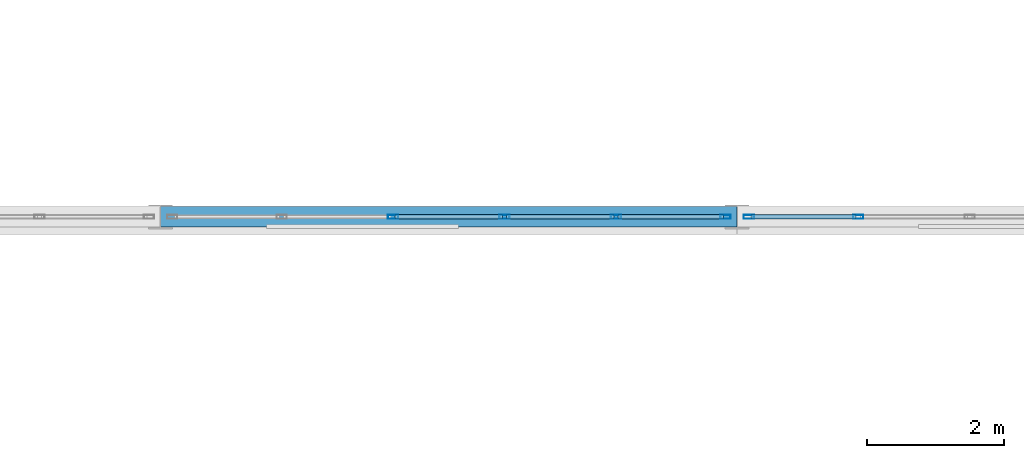
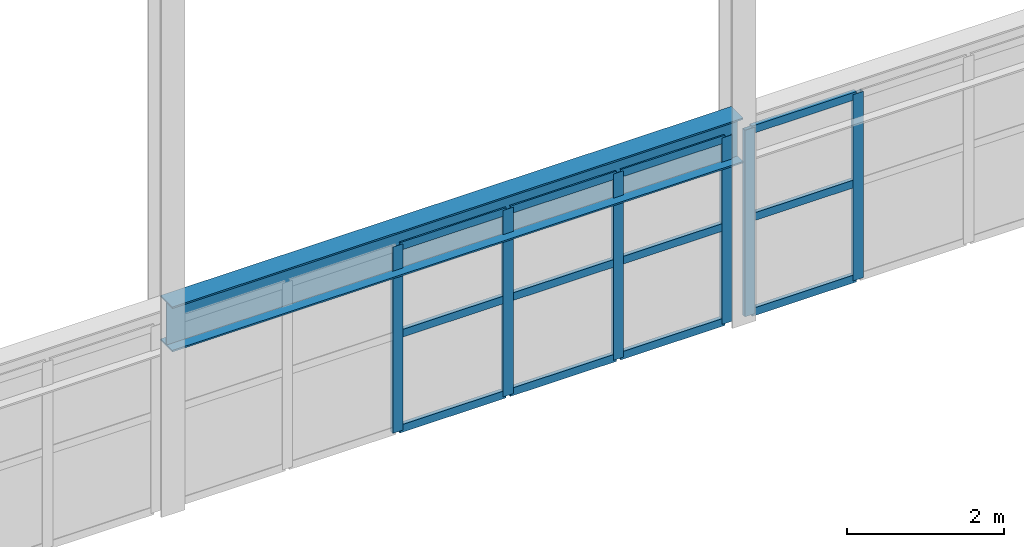
# One storey, part 61 of 218: 18 members, 1 beam, 2 elements without a shape of their own.
"""IFC4 building model written with IfcOpenShell, lengths in metres."""

from ifc_helpers import new_model, si_unit, direction, frame, origin, origin_2d, place, context, subcontext, project, spatial, hollow_rectangle, i_section, extrude, material, material_profile, profile_set, type_object, element, aggregate, save


model = new_model("IFC4")

# Units and contexts
model_context = context("Model", 3, precision=1e-05, world=origin(), true_north=direction((0.0, 1.0)))
body_context = subcontext(model_context, "Body", "Model", "MODEL_VIEW")
ifc_project = project(units=[si_unit("LENGTHUNIT", "METRE"), si_unit("AREAUNIT", "SQUARE_METRE"), si_unit("VOLUMEUNIT", "CUBIC_METRE"), si_unit("PLANEANGLEUNIT", "RADIAN"), si_unit("MASSUNIT", "GRAM", prefix="KILO")], contexts=[model_context])

# Site, building, storey
site_placement = place(None, origin())
site = spatial("IfcSite", under=ifc_project, at=site_placement, CompositionType="ELEMENT")
building_placement = place(site_placement, origin())
building = spatial("IfcBuilding", under=site, at=building_placement, Name="Kazenagashi Tramway Depot", CompositionType="ELEMENT")
storey_placement = place(building_placement, frame((0.0, 0.0, 6.0)))
storey = spatial("IfcBuildingStorey", under=building, at=storey_placement, Name="L02", CompositionType="ELEMENT", Elevation=6.0)

# Beam
ifc_material_1 = material(Name="Steel SN490B", Category="steel")
ifc_material_profile_1 = material_profile(ifc_material_1, i_section(OverallWidth=0.3, OverallDepth=0.7, WebThickness=0.013, FlangeThickness=0.024, at=origin_2d()), Name="H-700x300x13x24")
ifc_profile_set_1 = profile_set([ifc_material_profile_1], Name="Steel SN490B")
beam_type = type_object("IfcBeamType", Name="G-02", PredefinedType="BEAM", material=ifc_profile_set_1)
beam_placement = place(storey_placement, frame((53.2, 54.9, 2.85), z_axis=(1.0, 0.0, 0.0), x_axis=(0.0, 1.0, 0.0)))
element("IfcBeam", 1, at=beam_placement, inside=storey, type_object=beam_type, Name="Beam G-02 BM-1174", PredefinedType="BEAM", context=body_context, shape_type="SweptSolid", body=[
    extrude(i_section(OverallWidth=0.3, OverallDepth=0.7, WebThickness=0.013, FlangeThickness=0.024, at=origin_2d()), origin(), (0.0, 0.0, 1.0), 8.4),
])

# Curtain wall, members
ifc_material_2 = material(Name="Anodised Aluminium and Low-E Glazing", Category="aluminium")
curtain_wall_type = type_object("IfcCurtainWallType", Name="CW-21", PredefinedType="USERDEFINED", material=ifc_material_2)
curtain_wall_1_placement = place(storey_placement, origin())
curtain_wall_1 = element("IfcCurtainWall", 2, at=curtain_wall_1_placement, inside=storey, type_object=curtain_wall_type, Name="Industrial Glazed Screen CW-21 CW-0108", ObjectType="GLAZED SCREEN", PredefinedType="USERDEFINED")
ifc_material_3 = material(Name="Anodised Aluminium", Category="aluminium")
ifc_material_profile_2 = material_profile(ifc_material_3, hollow_rectangle(XDim=0.06, YDim=0.15, WallThickness=0.004, at=origin_2d()), Name="RHS-150x60x4")
ifc_profile_set_2 = profile_set([ifc_material_profile_2], Name="Anodised Aluminium")
member_type_1 = type_object("IfcMemberType", Name="ML-01", PredefinedType="MULLION", material=ifc_profile_set_2)
member_1_placement = place(storey_placement, frame((56.588, 54.9, 0.0), z_axis=(0.0, 0.0, 1.0), x_axis=(0.0, 1.0, 0.0)))
member_1 = element("IfcMember", 3, at=member_1_placement, type_object=member_type_1, Name="CW-21 mullion 3", PredefinedType="MULLION", context=body_context, shape_type="SweptSolid", body=[
    extrude(hollow_rectangle(XDim=0.06, YDim=0.15, WallThickness=0.004, at=origin_2d()), origin(), (0.0, 0.0, 1.0), 2.9),
])
member_2_placement = place(storey_placement, frame((58.212, 54.9, 0.0), z_axis=(0.0, 0.0, 1.0), x_axis=(0.0, 1.0, 0.0)))
member_2 = element("IfcMember", 4, at=member_2_placement, type_object=member_type_1, Name="CW-21 mullion 4", PredefinedType="MULLION", context=body_context, shape_type="SweptSolid", body=[
    extrude(hollow_rectangle(XDim=0.06, YDim=0.15, WallThickness=0.004, at=origin_2d()), origin(), (0.0, 0.0, 1.0), 2.9),
])
member_3_placement = place(storey_placement, frame((59.836, 54.9, 0.0), z_axis=(0.0, 0.0, 1.0), x_axis=(0.0, 1.0, 0.0)))
member_3 = element("IfcMember", 5, at=member_3_placement, type_object=member_type_1, Name="CW-21 mullion 5", PredefinedType="MULLION", context=body_context, shape_type="SweptSolid", body=[
    extrude(hollow_rectangle(XDim=0.06, YDim=0.15, WallThickness=0.004, at=origin_2d()), origin(), (0.0, 0.0, 1.0), 2.9),
])
member_4_placement = place(storey_placement, frame((61.43, 54.9, 0.0), z_axis=(0.0, 0.0, 1.0), x_axis=(0.0, 1.0, 0.0)))
member_4 = element("IfcMember", 6, at=member_4_placement, type_object=member_type_1, Name="CW-21 mullion 6", PredefinedType="MULLION", context=body_context, shape_type="SweptSolid", body=[
    extrude(hollow_rectangle(XDim=0.06, YDim=0.15, WallThickness=0.004, at=origin_2d()), origin(), (0.0, 0.0, 1.0), 2.9),
])

curtain_wall_2_placement = place(storey_placement, origin())
curtain_wall_2 = element("IfcCurtainWall", 7, at=curtain_wall_2_placement, inside=storey, type_object=curtain_wall_type, Name="Industrial Glazed Screen CW-21 CW-0109", ObjectType="GLAZED SCREEN", PredefinedType="USERDEFINED")
member_5_placement = place(storey_placement, frame((61.77, 54.9, 0.0), z_axis=(0.0, 0.0, 1.0), x_axis=(0.0, 1.0, 0.0)))
member_5 = element("IfcMember", 8, at=member_5_placement, type_object=member_type_1, Name="CW-21 mullion 1", PredefinedType="MULLION", context=body_context, shape_type="SweptSolid", body=[
    extrude(hollow_rectangle(XDim=0.06, YDim=0.15, WallThickness=0.004, at=origin_2d()), origin(), (0.0, 0.0, 1.0), 2.9),
])
member_6_placement = place(storey_placement, frame((63.364, 54.9, 0.0), z_axis=(0.0, 0.0, 1.0), x_axis=(0.0, 1.0, 0.0)))
member_6 = element("IfcMember", 9, at=member_6_placement, type_object=member_type_1, Name="CW-21 mullion 2", PredefinedType="MULLION", context=body_context, shape_type="SweptSolid", body=[
    extrude(hollow_rectangle(XDim=0.06, YDim=0.15, WallThickness=0.004, at=origin_2d()), origin(), (0.0, 0.0, 1.0), 2.9),
])

# Member
ifc_material_profile_3 = material_profile(ifc_material_3, hollow_rectangle(XDim=0.06, YDim=0.12, WallThickness=0.004, at=origin_2d()), Name="RHS-120x60x4")
ifc_profile_set_3 = profile_set([ifc_material_profile_3], Name="Anodised Aluminium")
member_type_2 = type_object("IfcMemberType", Name="TR-01", PredefinedType="USERDEFINED", material=ifc_profile_set_3)
member_7_placement = place(storey_placement, frame((56.618, 54.9, 0.03), z_axis=(1.0, 0.0, 0.0), x_axis=(0.0, 1.0, 0.0)))
member_7 = element("IfcMember", 10, at=member_7_placement, type_object=member_type_2, Name="CW-21 transom 3.1", ObjectType="TRANSOM", PredefinedType="USERDEFINED", context=body_context, shape_type="SweptSolid", body=[
    extrude(hollow_rectangle(XDim=0.06, YDim=0.12, WallThickness=0.004, at=origin_2d()), origin(), (0.0, 0.0, 1.0), 1.564),
])

member_8_placement = place(storey_placement, frame((56.618, 54.9, 1.508), z_axis=(1.0, 0.0, 0.0), x_axis=(0.0, 1.0, 0.0)))
member_8 = element("IfcMember", 11, at=member_8_placement, type_object=member_type_2, Name="CW-21 transom 3.2", ObjectType="TRANSOM", PredefinedType="USERDEFINED", context=body_context, shape_type="SweptSolid", body=[
    extrude(hollow_rectangle(XDim=0.06, YDim=0.12, WallThickness=0.004, at=origin_2d()), origin(), (0.0, 0.0, 1.0), 1.564),
])

member_9_placement = place(storey_placement, frame((56.618, 54.9, 2.87), z_axis=(1.0, 0.0, 0.0), x_axis=(0.0, 1.0, 0.0)))
member_9 = element("IfcMember", 12, at=member_9_placement, type_object=member_type_2, Name="CW-21 transom 3.3", ObjectType="TRANSOM", PredefinedType="USERDEFINED", context=body_context, shape_type="SweptSolid", body=[
    extrude(hollow_rectangle(XDim=0.06, YDim=0.12, WallThickness=0.004, at=origin_2d()), origin(), (0.0, 0.0, 1.0), 1.564),
])

member_10_placement = place(storey_placement, frame((58.242, 54.9, 0.03), z_axis=(1.0, 0.0, 0.0), x_axis=(0.0, 1.0, 0.0)))
member_10 = element("IfcMember", 13, at=member_10_placement, type_object=member_type_2, Name="CW-21 transom 4.1", ObjectType="TRANSOM", PredefinedType="USERDEFINED", context=body_context, shape_type="SweptSolid", body=[
    extrude(hollow_rectangle(XDim=0.06, YDim=0.12, WallThickness=0.004, at=origin_2d()), origin(), (0.0, 0.0, 1.0), 1.564),
])

member_11_placement = place(storey_placement, frame((58.242, 54.9, 1.508), z_axis=(1.0, 0.0, 0.0), x_axis=(0.0, 1.0, 0.0)))
member_11 = element("IfcMember", 14, at=member_11_placement, type_object=member_type_2, Name="CW-21 transom 4.2", ObjectType="TRANSOM", PredefinedType="USERDEFINED", context=body_context, shape_type="SweptSolid", body=[
    extrude(hollow_rectangle(XDim=0.06, YDim=0.12, WallThickness=0.004, at=origin_2d()), origin(), (0.0, 0.0, 1.0), 1.564),
])

member_12_placement = place(storey_placement, frame((58.242, 54.9, 2.87), z_axis=(1.0, 0.0, 0.0), x_axis=(0.0, 1.0, 0.0)))
member_12 = element("IfcMember", 15, at=member_12_placement, type_object=member_type_2, Name="CW-21 transom 4.3", ObjectType="TRANSOM", PredefinedType="USERDEFINED", context=body_context, shape_type="SweptSolid", body=[
    extrude(hollow_rectangle(XDim=0.06, YDim=0.12, WallThickness=0.004, at=origin_2d()), origin(), (0.0, 0.0, 1.0), 1.564),
])

member_13_placement = place(storey_placement, frame((59.866, 54.9, 0.03), z_axis=(1.0, 0.0, 0.0), x_axis=(0.0, 1.0, 0.0)))
member_13 = element("IfcMember", 16, at=member_13_placement, type_object=member_type_2, Name="CW-21 transom 5.1", ObjectType="TRANSOM", PredefinedType="USERDEFINED", context=body_context, shape_type="SweptSolid", body=[
    extrude(hollow_rectangle(XDim=0.06, YDim=0.12, WallThickness=0.004, at=origin_2d()), origin(), (0.0, 0.0, 1.0), 1.534),
])

member_14_placement = place(storey_placement, frame((59.866, 54.9, 1.508), z_axis=(1.0, 0.0, 0.0), x_axis=(0.0, 1.0, 0.0)))
member_14 = element("IfcMember", 17, at=member_14_placement, type_object=member_type_2, Name="CW-21 transom 5.2", ObjectType="TRANSOM", PredefinedType="USERDEFINED", context=body_context, shape_type="SweptSolid", body=[
    extrude(hollow_rectangle(XDim=0.06, YDim=0.12, WallThickness=0.004, at=origin_2d()), origin(), (0.0, 0.0, 1.0), 1.534),
])

member_15_placement = place(storey_placement, frame((59.866, 54.9, 2.87), z_axis=(1.0, 0.0, 0.0), x_axis=(0.0, 1.0, 0.0)))
member_15 = element("IfcMember", 18, at=member_15_placement, type_object=member_type_2, Name="CW-21 transom 5.3", ObjectType="TRANSOM", PredefinedType="USERDEFINED", context=body_context, shape_type="SweptSolid", body=[
    extrude(hollow_rectangle(XDim=0.06, YDim=0.12, WallThickness=0.004, at=origin_2d()), origin(), (0.0, 0.0, 1.0), 1.534),
])

aggregate(curtain_wall_1, [member_1, member_2, member_3, member_4, member_7, member_8, member_9, member_10, member_11, member_12, member_13, member_14, member_15])

member_16_placement = place(storey_placement, frame((61.8, 54.9, 0.03), z_axis=(1.0, 0.0, 0.0), x_axis=(0.0, 1.0, 0.0)))
member_16 = element("IfcMember", 19, at=member_16_placement, type_object=member_type_2, Name="CW-21 transom 1.1", ObjectType="TRANSOM", PredefinedType="USERDEFINED", context=body_context, shape_type="SweptSolid", body=[
    extrude(hollow_rectangle(XDim=0.06, YDim=0.12, WallThickness=0.004, at=origin_2d()), origin(), (0.0, 0.0, 1.0), 1.534),
])

member_17_placement = place(storey_placement, frame((61.8, 54.9, 1.508), z_axis=(1.0, 0.0, 0.0), x_axis=(0.0, 1.0, 0.0)))
member_17 = element("IfcMember", 20, at=member_17_placement, type_object=member_type_2, Name="CW-21 transom 1.2", ObjectType="TRANSOM", PredefinedType="USERDEFINED", context=body_context, shape_type="SweptSolid", body=[
    extrude(hollow_rectangle(XDim=0.06, YDim=0.12, WallThickness=0.004, at=origin_2d()), origin(), (0.0, 0.0, 1.0), 1.534),
])

member_18_placement = place(storey_placement, frame((61.8, 54.9, 2.87), z_axis=(1.0, 0.0, 0.0), x_axis=(0.0, 1.0, 0.0)))
member_18 = element("IfcMember", 21, at=member_18_placement, type_object=member_type_2, Name="CW-21 transom 1.3", ObjectType="TRANSOM", PredefinedType="USERDEFINED", context=body_context, shape_type="SweptSolid", body=[
    extrude(hollow_rectangle(XDim=0.06, YDim=0.12, WallThickness=0.004, at=origin_2d()), origin(), (0.0, 0.0, 1.0), 1.534),
])

aggregate(curtain_wall_2, [member_5, member_6, member_16, member_17, member_18])

save(model, "model.ifc")
